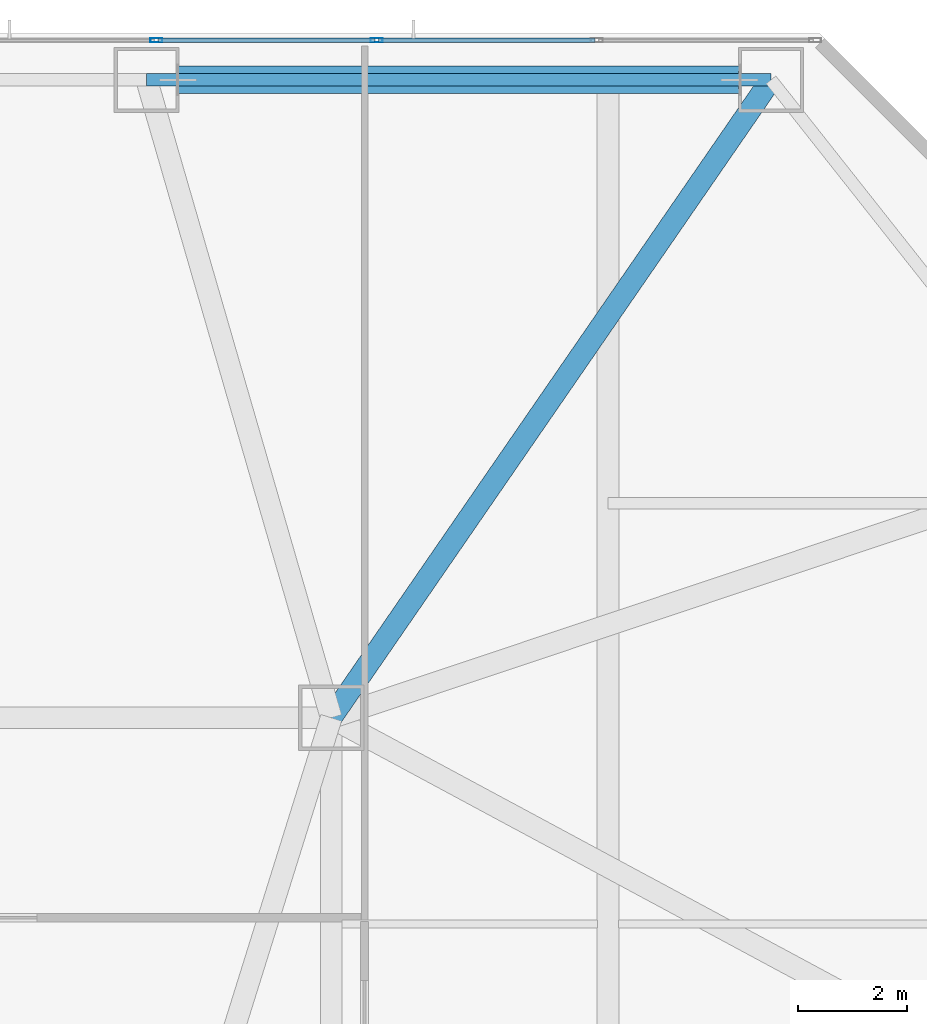
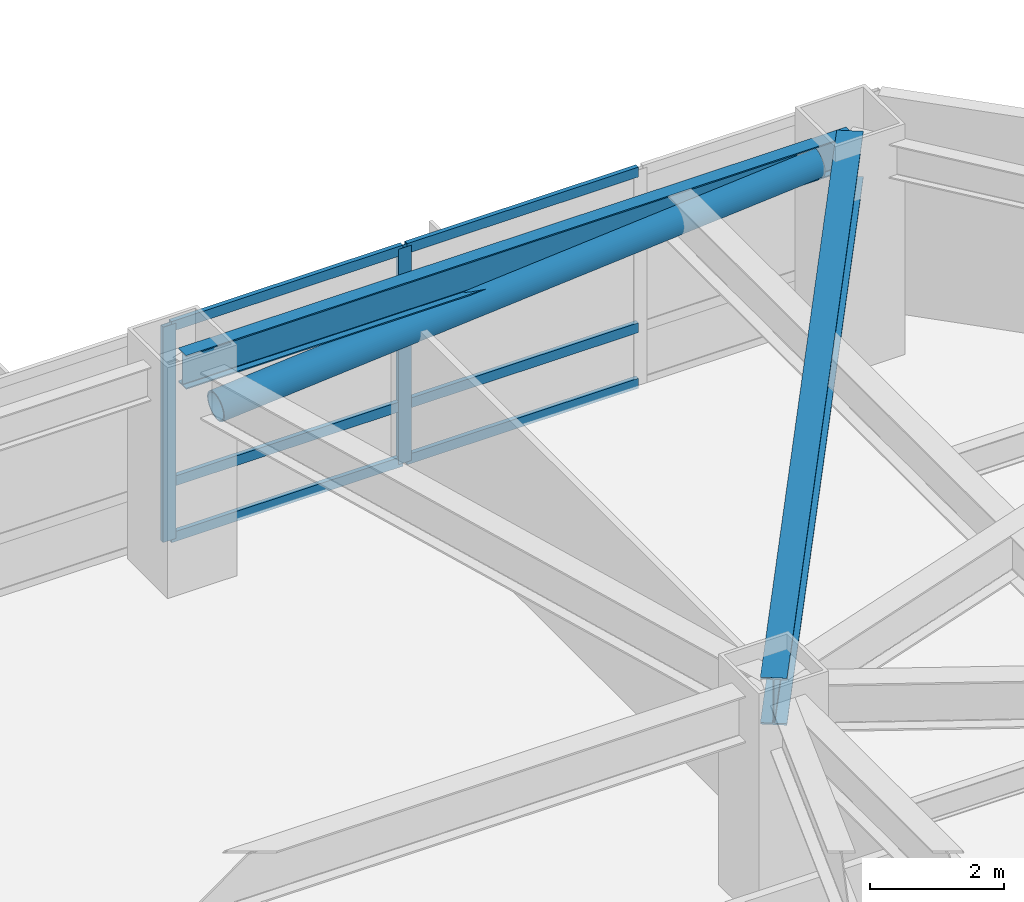
# One storey, part 7 of 24: 9 members, 2 beams, 1 element without a shape of its own.
"""IFC4 building model written with IfcOpenShell, lengths in metres."""

import ifcopenshell
import ifcopenshell.guid

model = None  # the IFC model being written
_history = None  # IfcOwnerHistory: only IFC2X3 demands one
_inside = {}  # id of a spatial element -> (the spatial element, [elements in it])
_under = {}  # id of a project, library or spatial element -> (it, [spatial elements below it])
_declared = {}  # id of a project -> (the project, [libraries it declares])
_typed = {}  # id of a type object -> (the type object, [elements of that type])
_made_of = {}  # id of a material, layer set ... -> (it, [elements and type objects made of it])


def new_model(schema):
    """Start an empty IFC model of exactly this schema.

    Asked for "IFC4X3", IfcOpenShell would pick the latest addendum, in which some entities
    have other attributes; the version numbers below select the first issue.
    IFC2X3 requires an IfcOwnerHistory on every rooted entity: one is made here for all.
    """
    global model, _history
    if schema == "IFC4X3":
        model = ifcopenshell.file(schema_version=(4, 3, 0, 0))
    else:
        model = ifcopenshell.file(schema=schema)
    _inside.clear()
    _under.clear()
    _declared.clear()
    _typed.clear()
    _made_of.clear()
    _history = None
    if model.schema == "IFC2X3":
        org = make("IfcOrganization", Name="unknown")
        user = make(
            "IfcPersonAndOrganization",
            ThePerson=make("IfcPerson", FamilyName="unknown"),
            TheOrganization=org,
        )
        app = make(
            "IfcApplication",
            ApplicationDeveloper=org,
            Version="unknown",
            ApplicationFullName="unknown",
            ApplicationIdentifier="unknown",
        )
        _history = make(
            "IfcOwnerHistory",
            OwningUser=user,
            OwningApplication=app,
            ChangeAction="ADDED",
            CreationDate=0,
        )
    return model


def make(cls, **values):
    """One entity of the class cls with the attributes given. An attribute that is None is left unset."""
    return model.create_entity(
        cls, **{name: value for name, value in values.items() if value is not None}
    )


def rooted(cls, **values):
    """An entity with a GlobalId (a new one), such as an element, a storey or a relation."""
    return make(cls, GlobalId=ifcopenshell.guid.new(), OwnerHistory=_history, **values)


def si_unit(unit_type, name, prefix=None):
    """IfcSIUnit, for example si_unit("LENGTHUNIT", "METRE", prefix="MILLI")."""
    return make("IfcSIUnit", UnitType=unit_type, Prefix=prefix, Name=name)


def assignment(units):
    """IfcUnitAssignment: the units of a project."""
    return None if units is None else make("IfcUnitAssignment", Units=units)


def point(xyz):
    """IfcCartesianPoint."""
    return None if xyz is None else make("IfcCartesianPoint", Coordinates=xyz)


def direction(xyz):
    """IfcDirection."""
    return None if xyz is None else make("IfcDirection", DirectionRatios=xyz)


def frame(location, z_axis=None, x_axis=None):
    """IfcAxis2Placement3D, a coordinate frame: its origin and axes. An axis left out is left unset."""
    return make(
        "IfcAxis2Placement3D",
        Location=point(location),
        Axis=direction(z_axis),
        RefDirection=direction(x_axis),
    )


def frame_2d(location, x_axis=None):
    """IfcAxis2Placement2D, a coordinate frame in the plane: its origin and x axis."""
    return make(
        "IfcAxis2Placement2D", Location=point(location), RefDirection=direction(x_axis)
    )


def origin():
    """The frame at (0, 0, 0) with its axes left unset."""
    return frame((0.0, 0.0, 0.0))


def origin_2d():
    """The frame at (0, 0) in the plane with its x axis left unset."""
    return frame_2d((0.0, 0.0))


def place(relative_to, where):
    """IfcLocalPlacement: puts the frame where relative to a parent placement (None: the world)."""
    return make(
        "IfcLocalPlacement", PlacementRelTo=relative_to, RelativePlacement=where
    )


def context(
    kind, dimensions, precision=None, world=None, true_north=None, identifier=None
):
    """IfcGeometricRepresentationContext, for example the 3D "Model" context."""
    return make(
        "IfcGeometricRepresentationContext",
        ContextIdentifier=identifier,
        ContextType=kind,
        CoordinateSpaceDimension=dimensions,
        Precision=precision,
        WorldCoordinateSystem=world,
        TrueNorth=true_north,
    )


def subcontext(parent, identifier, kind, view, scale=None):
    """IfcGeometricRepresentationSubContext, for example "Body" below "Model"."""
    return make(
        "IfcGeometricRepresentationSubContext",
        ContextIdentifier=identifier,
        ContextType=kind,
        ParentContext=parent,
        TargetScale=scale,
        TargetView=view,
    )


def project(units=None, contexts=None):
    """IfcProject with its units and contexts."""
    return rooted(
        "IfcProject",
        Name="project",
        RepresentationContexts=contexts,
        UnitsInContext=assignment(units),
    )


def spatial(cls, under=None, at=None, **own):
    """A site, building, storey or space (cls), placed at a placement, below another one or the project."""
    s = rooted(cls, ObjectPlacement=at, **own)
    if under is not None:
        _under.setdefault(under.id(), (under, []))[1].append(s)
    return s


def profile(cls, at=None, kind="AREA", **sizes):
    """A parametric profile (cls). Its sizes go by their IFC names, for example OverallWidth=200.0."""
    return make(cls, ProfileType=kind, Position=at, **sizes)


def hollow_rectangle(**sizes):
    """IfcRectangleHollowProfileDef."""
    return profile("IfcRectangleHollowProfileDef", **sizes)


def hollow_circle(**sizes):
    """IfcCircleHollowProfileDef."""
    return profile("IfcCircleHollowProfileDef", **sizes)


def i_section(**sizes):
    """IfcIShapeProfileDef."""
    return profile("IfcIShapeProfileDef", **sizes)


def extrude(swept, where, along, depth):
    """IfcExtrudedAreaSolid: the profile swept, set in the frame where, extruded along a direction by depth."""
    return make(
        "IfcExtrudedAreaSolid",
        SweptArea=swept,
        Position=where,
        ExtrudedDirection=direction(along),
        Depth=depth,
    )


def shape(context_of_items, identifier, shape_type, items):
    """IfcShapeRepresentation: the items that make up one representation, for example the "Body"."""
    return make(
        "IfcShapeRepresentation",
        ContextOfItems=context_of_items,
        RepresentationIdentifier=identifier,
        RepresentationType=shape_type,
        Items=items,
    )


def material(Name=None, Category=None):
    """IfcMaterial."""
    return make("IfcMaterial", Name=Name, Category=Category)


def material_profile(
    of_material, cross_section, Name=None, Category=None, Priority=None
):
    """IfcMaterialProfile: a cross section and its material."""
    return make(
        "IfcMaterialProfile",
        Name=Name,
        Material=of_material,
        Profile=cross_section,
        Priority=Priority,
        Category=Category,
    )


def profile_set(profiles, Name=None, composite=None):
    """IfcMaterialProfileSet."""
    return make(
        "IfcMaterialProfileSet",
        Name=Name,
        MaterialProfiles=profiles,
        CompositeProfile=composite,
    )


def made_of(thing, what):
    """Note that an element or type object is made of a material, layer set ...; save() writes the relation."""
    if what is not None:
        _made_of.setdefault(what.id(), (what, []))[1].append(thing)
    return thing


def type_object(cls, material=None, **own):
    """A type object (cls), such as IfcWallType, which elements share."""
    return made_of(rooted(cls, **own), material)


def element(
    cls,
    number,
    at=None,
    inside=None,
    cuts=None,
    type_object=None,
    material=None,
    context=None,
    identifier="Body",
    shape_type=None,
    held_by="IfcProductDefinitionShape",
    body=None,
    shapes=None,
    **own,
):
    """One element of the class cls, such as IfcWall. Its Tag is "e" and its number.

    at: its placement. inside: the storey or other place that contains it. cuts: it is an
    opening in that element (IfcRelVoidsElement). A single representation is given by context,
    identifier, shape_type and body (its items); several are given by shapes. held_by: the class
    of the entity that holds the representations. save() writes the other relations.
    """
    e = rooted(cls, Tag="e%d" % number, ObjectPlacement=at, **own)
    if body is not None:
        shapes = [shape(context, identifier, shape_type, body)]
    if shapes is not None:
        e.Representation = make(held_by, Representations=shapes)
    if inside is not None:
        _inside.setdefault(inside.id(), (inside, []))[1].append(e)
    if cuts is not None:
        rooted(
            "IfcRelVoidsElement", RelatingBuildingElement=cuts, RelatedOpeningElement=e
        )
    if type_object is not None:
        _typed.setdefault(type_object.id(), (type_object, []))[1].append(e)
    return made_of(e, material)


def aggregate(whole, parts):
    """IfcRelAggregates: a whole, such as a stair, and the parts it consists of."""
    return rooted("IfcRelAggregates", RelatingObject=whole, RelatedObjects=parts)


def save(model, path):
    """Write the relations noted so far, then the file.

    IfcRelAggregates (storeys below a building ...), IfcRelContainedInSpatialStructure (elements
    in a storey), IfcRelDefinesByType, IfcRelAssociatesMaterial and IfcRelDeclares: one each for
    every whole, place, type object, material and project.
    """
    for whole, parts in _under.values():
        aggregate(whole, parts)
    for where, things in _inside.values():
        rooted(
            "IfcRelContainedInSpatialStructure",
            RelatedElements=things,
            RelatingStructure=where,
        )
    for kind, things in _typed.values():
        rooted("IfcRelDefinesByType", RelatedObjects=things, RelatingType=kind)
    for what, things in _made_of.values():
        rooted("IfcRelAssociatesMaterial", RelatedObjects=things, RelatingMaterial=what)
    for by, libraries in _declared.values():
        rooted("IfcRelDeclares", RelatingContext=by, RelatedDefinitions=libraries)
    model.write(path)


model = new_model("IFC4")

# Units and contexts
model_context = context("Model", 3, precision=1e-05, world=origin(), true_north=direction((0.0, 1.0)))
body_context = subcontext(model_context, "Body", "Model", "MODEL_VIEW")
ifc_project = project(units=[si_unit("LENGTHUNIT", "METRE"), si_unit("AREAUNIT", "SQUARE_METRE"), si_unit("VOLUMEUNIT", "CUBIC_METRE"), si_unit("PLANEANGLEUNIT", "RADIAN"), si_unit("MASSUNIT", "GRAM", prefix="KILO")], contexts=[model_context])

# Site, building, storey
site_placement = place(None, origin())
site = spatial("IfcSite", under=ifc_project, at=site_placement, CompositionType="ELEMENT")
building_placement = place(site_placement, origin())
building = spatial("IfcBuilding", under=site, at=building_placement, Name="Khamvora Tower", CompositionType="ELEMENT")
storey_placement = place(building_placement, frame((0.0, 0.0, 20.39990234375)))
storey = spatial("IfcBuildingStorey", under=building, at=storey_placement, Name="L04", CompositionType="ELEMENT", Elevation=20.39990234375)

# Beams
ifc_material_1 = material(Name="Steel S355", Category="steel")
ifc_material_profile_1 = material_profile(ifc_material_1, i_section(OverallWidth=0.39990234375, OverallDepth=0.85498046875, WebThickness=0.01806640625, FlangeThickness=0.029052734375, FilletRadius=0.01806640625, at=origin_2d()), Name="W840x299")
ifc_profile_set_1 = profile_set([ifc_material_profile_1], Name="Steel S355")
beam_type_1 = type_object("IfcBeamType", Name="BM-PG-W840x299", PredefinedType="BEAM", material=ifc_profile_set_1)
beam_1_placement = place(storey_placement, frame((41.39990234375, 43.39990234375, 3.4931640625), z_axis=(0.567573841069, 0.823322497527, 0.0), x_axis=(-0.823322497527, 0.567573841069, 0.0)))
element("IfcBeam", 1, at=beam_1_placement, inside=storey, type_object=beam_type_1, Name="L04 primary floor girder P08", PredefinedType="BEAM", context=body_context, shape_type="SweptSolid", body=[
    extrude(i_section(OverallWidth=0.39990234375, OverallDepth=0.85498046875, WebThickness=0.01806640625, FlangeThickness=0.029052734375, FilletRadius=0.01806640625, at=origin_2d()), origin(), (0.0, 0.0, 1.0), 14.271484375),
])
ifc_material_profile_2 = material_profile(ifc_material_1, i_section(OverallWidth=0.22998046875, OverallDepth=0.616943359375, WebThickness=0.012939453125, FlangeThickness=0.02197265625, FilletRadius=0.013916015625, at=origin_2d()), Name="W610x140")
ifc_profile_set_2 = profile_set([ifc_material_profile_2], Name="Steel S355")
beam_type_2 = type_object("IfcBeamType", Name="BM-SP-W610x140", PredefinedType="SPANDREL", material=ifc_profile_set_2)
beam_2_placement = place(storey_placement, frame((49.5, 55.14990234375, 3.612060546875), z_axis=(-1.0, 0.0, 0.0), x_axis=(0.0, -1.0, 0.0)))
element("IfcBeam", 2, at=beam_2_placement, inside=storey, type_object=beam_type_2, Name="L04 perimeter spandrel beam P08-P07", PredefinedType="SPANDREL", context=body_context, shape_type="SweptSolid", body=[
    extrude(i_section(OverallWidth=0.22998046875, OverallDepth=0.616943359375, WebThickness=0.012939453125, FlangeThickness=0.02197265625, FilletRadius=0.013916015625, at=origin_2d()), origin(), (0.0, 0.0, 1.0), 11.5),
])

# Curtain wall, members
ifc_material_2 = material(Name="Anodised Aluminium 6063-T6", Category="aluminium")
curtain_wall_type = type_object("IfcCurtainWallType", Name="CW-SYS-01", PredefinedType="NOTDEFINED", material=ifc_material_2)
curtain_wall_placement = place(storey_placement, origin())
curtain_wall = element("IfcCurtainWall", 3, at=curtain_wall_placement, inside=storey, type_object=curtain_wall_type, Name="L04 stick curtain wall 07.1", PredefinedType="NOTDEFINED")
ifc_material_profile_3 = material_profile(ifc_material_2, hollow_rectangle(XDim=0.074951171875, YDim=0.219970703125, WallThickness=0.0048828125, at=origin_2d()), Name="MUL75x220x5")
ifc_profile_set_3 = profile_set([ifc_material_profile_3], Name="Anodised Aluminium 6063-T6")
member_type_1 = type_object("IfcMemberType", Name="CW-SYS-01-MUL", PredefinedType="MULLION", material=ifc_profile_set_3)
member_1_placement = place(storey_placement, frame((38.18017578125, 55.8798828125, 0.0), z_axis=(0.0, 0.0, 1.0), x_axis=(0.0, 1.0, 0.0)))
member_1 = element("IfcMember", 4, at=member_1_placement, type_object=member_type_1, Name="CW-01 mullion 9", PredefinedType="MULLION", context=body_context, shape_type="SweptSolid", body=[
    extrude(hollow_rectangle(XDim=0.074951171875, YDim=0.219970703125, WallThickness=0.0048828125, at=origin_2d()), origin(), (0.0, 0.0, 1.0), 3.920166015625),
])
member_2_placement = place(storey_placement, frame((42.23681640625, 55.8798828125, 0.0), z_axis=(0.0, 0.0, 1.0), x_axis=(0.0, 1.0, 0.0)))
member_2 = element("IfcMember", 5, at=member_2_placement, type_object=member_type_1, Name="CW-01 mullion 10", PredefinedType="MULLION", context=body_context, shape_type="SweptSolid", body=[
    extrude(hollow_rectangle(XDim=0.074951171875, YDim=0.219970703125, WallThickness=0.0048828125, at=origin_2d()), origin(), (0.0, 0.0, 1.0), 3.920166015625),
])
ifc_material_profile_4 = material_profile(ifc_material_2, hollow_rectangle(XDim=0.074951171875, YDim=0.179931640625, WallThickness=0.0048828125, at=origin_2d()), Name="TRN75x180x5")
ifc_profile_set_4 = profile_set([ifc_material_profile_4], Name="Anodised Aluminium 6063-T6")
member_type_2 = type_object("IfcMemberType", Name="CW-SYS-01-TRN", PredefinedType="USERDEFINED", material=ifc_profile_set_4)
member_3_placement = place(storey_placement, frame((38.217529296875, 55.8798828125, 0.03759765625), z_axis=(1.0, 0.0, 0.0), x_axis=(0.0, 1.0, 0.0)))
member_3 = element("IfcMember", 6, at=member_3_placement, type_object=member_type_2, Name="CW-01 transom 9.1", ObjectType="TRANSOM", PredefinedType="USERDEFINED", context=body_context, shape_type="SweptSolid", body=[
    extrude(hollow_rectangle(XDim=0.074951171875, YDim=0.179931640625, WallThickness=0.0048828125, at=origin_2d()), origin(), (0.0, 0.0, 1.0), 3.981689453125),
])
member_4_placement = place(storey_placement, frame((38.217529296875, 55.8798828125, 1.050048828125), z_axis=(1.0, 0.0, 0.0), x_axis=(0.0, 1.0, 0.0)))
member_4 = element("IfcMember", 7, at=member_4_placement, type_object=member_type_2, Name="CW-01 transom 9.2", ObjectType="TRANSOM", PredefinedType="USERDEFINED", context=body_context, shape_type="SweptSolid", body=[
    extrude(hollow_rectangle(XDim=0.074951171875, YDim=0.179931640625, WallThickness=0.0048828125, at=origin_2d()), origin(), (0.0, 0.0, 1.0), 3.981689453125),
])
member_5_placement = place(storey_placement, frame((38.217529296875, 55.8798828125, 3.882568359375), z_axis=(1.0, 0.0, 0.0), x_axis=(0.0, 1.0, 0.0)))
member_5 = element("IfcMember", 8, at=member_5_placement, type_object=member_type_2, Name="CW-01 transom 9.3", ObjectType="TRANSOM", PredefinedType="USERDEFINED", context=body_context, shape_type="SweptSolid", body=[
    extrude(hollow_rectangle(XDim=0.074951171875, YDim=0.179931640625, WallThickness=0.0048828125, at=origin_2d()), origin(), (0.0, 0.0, 1.0), 3.981689453125),
])
member_6_placement = place(storey_placement, frame((42.274169921875, 55.8798828125, 0.03759765625), z_axis=(1.0, 0.0, 0.0), x_axis=(0.0, 1.0, 0.0)))
member_6 = element("IfcMember", 9, at=member_6_placement, type_object=member_type_2, Name="CW-01 transom 10.1", ObjectType="TRANSOM", PredefinedType="USERDEFINED", context=body_context, shape_type="SweptSolid", body=[
    extrude(hollow_rectangle(XDim=0.074951171875, YDim=0.179931640625, WallThickness=0.0048828125, at=origin_2d()), origin(), (0.0, 0.0, 1.0), 3.981689453125),
])
member_7_placement = place(storey_placement, frame((42.274169921875, 55.8798828125, 1.050048828125), z_axis=(1.0, 0.0, 0.0), x_axis=(0.0, 1.0, 0.0)))
member_7 = element("IfcMember", 10, at=member_7_placement, type_object=member_type_2, Name="CW-01 transom 10.2", ObjectType="TRANSOM", PredefinedType="USERDEFINED", context=body_context, shape_type="SweptSolid", body=[
    extrude(hollow_rectangle(XDim=0.074951171875, YDim=0.179931640625, WallThickness=0.0048828125, at=origin_2d()), origin(), (0.0, 0.0, 1.0), 3.981689453125),
])
member_8_placement = place(storey_placement, frame((42.274169921875, 55.8798828125, 3.882568359375), z_axis=(1.0, 0.0, 0.0), x_axis=(0.0, 1.0, 0.0)))
member_8 = element("IfcMember", 11, at=member_8_placement, type_object=member_type_2, Name="CW-01 transom 10.3", ObjectType="TRANSOM", PredefinedType="USERDEFINED", context=body_context, shape_type="SweptSolid", body=[
    extrude(hollow_rectangle(XDim=0.074951171875, YDim=0.179931640625, WallThickness=0.0048828125, at=origin_2d()), origin(), (0.0, 0.0, 1.0), 3.981689453125),
])
aggregate(curtain_wall, [member_1, member_2, member_3, member_4, member_5, member_6, member_7, member_8])

# Member
ifc_material_3 = material(Name="Steel S460", Category="steel")
ifc_material_profile_5 = material_profile(ifc_material_3, hollow_circle(Radius=0.25390625, WallThickness=0.02490234375, at=origin_2d()), Name="CHS508x25")
ifc_profile_set_5 = profile_set([ifc_material_profile_5], Name="Steel S460")
member_type_3 = type_object("IfcMemberType", Name="MEM-BR-CHS508", PredefinedType="BRACE", material=ifc_profile_set_5)
member_9_placement = place(storey_placement, frame((38.577880859375, 55.14990234375, 2.72705078125), z_axis=(0.996733604617, 0.0, 0.080759652222), x_axis=(0.0, 1.0, 0.0)))
element("IfcMember", 12, at=member_9_placement, inside=storey, type_object=member_type_3, Name="L04 perimeter wind brace 4", PredefinedType="BRACE", context=body_context, shape_type="SweptSolid", body=[
    extrude(hollow_circle(Radius=0.25390625, WallThickness=0.02490234375, at=origin_2d()), origin(), (0.0, 0.0, 1.0), 10.378173828125),
])

save(model, "model.ifc")
